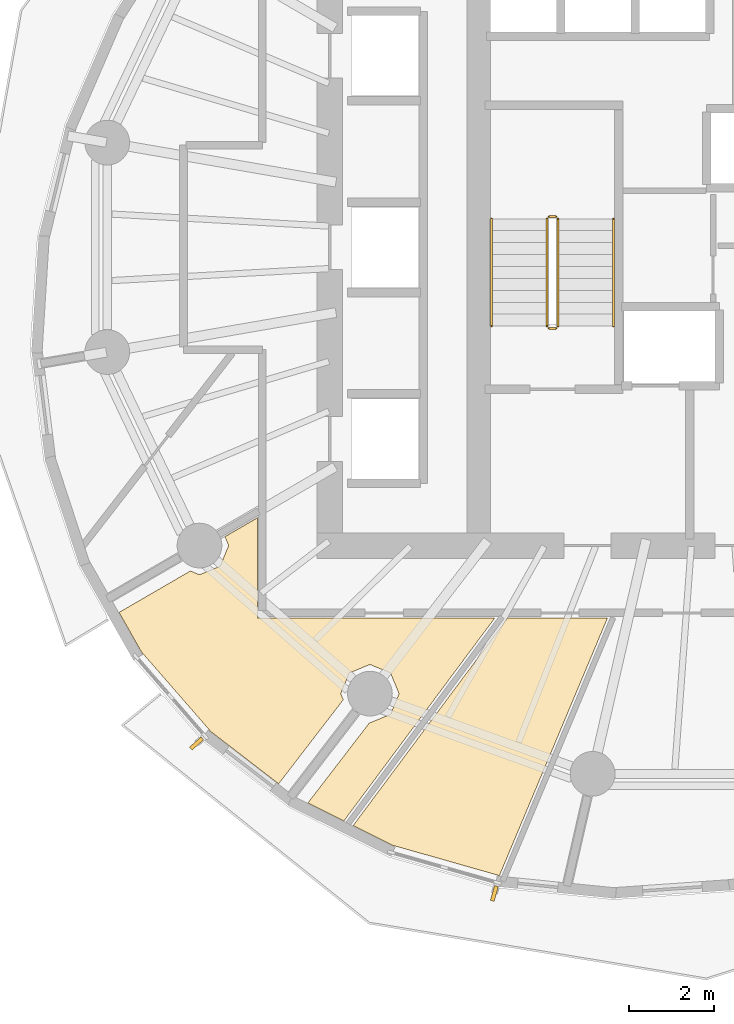
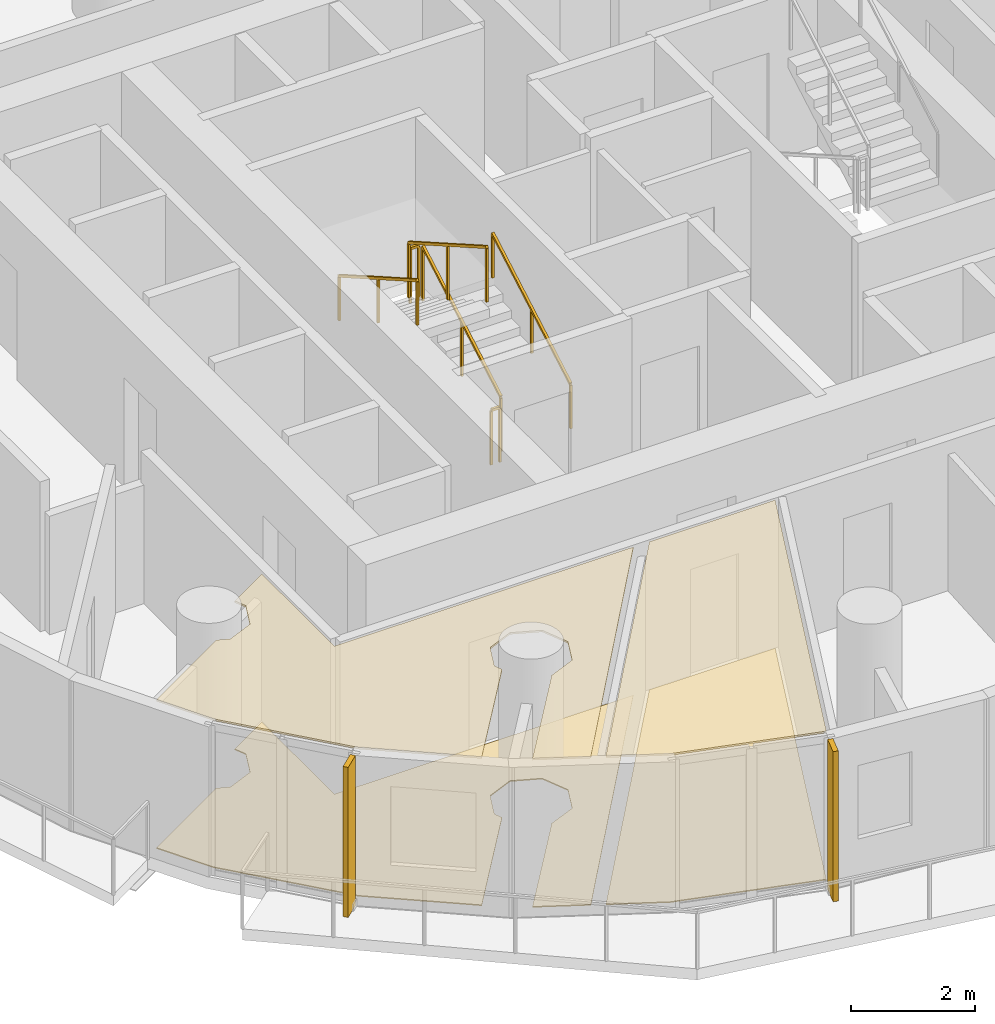
# One storey, part 8 of 12: 6 railings, 4 coverings, 2 shading devices.
"""IFC4 building model written with IfcOpenShell, lengths in metres."""

from ifc_helpers import new_model, si_unit, direction, frame, origin, origin_2d, place, context, subcontext, project, spatial, polyline, rectangle, outline, extrude, material, layer, layer_set, type_object, element, save


model = new_model("IFC4")

# Units and contexts
model_context = context("Model", 3, precision=1e-05, world=origin(), true_north=direction((0.0, 1.0)))
body_context = subcontext(model_context, "Body", "Model", "MODEL_VIEW")
ifc_project = project(units=[si_unit("LENGTHUNIT", "METRE"), si_unit("AREAUNIT", "SQUARE_METRE"), si_unit("VOLUMEUNIT", "CUBIC_METRE"), si_unit("PLANEANGLEUNIT", "RADIAN"), si_unit("MASSUNIT", "GRAM", prefix="KILO")], contexts=[model_context])

# Site, building, storey
site_placement = place(None, origin())
site = spatial("IfcSite", under=ifc_project, at=site_placement, CompositionType="ELEMENT")
building_placement = place(site_placement, origin())
building = spatial("IfcBuilding", under=site, at=building_placement, Name="Veldorim Arch Residences", CompositionType="ELEMENT")
storey_placement = place(building_placement, frame((0.0, 0.0, 142.56005859375)))
storey = spatial("IfcBuildingStorey", under=building, at=storey_placement, Name="L42", CompositionType="ELEMENT", Elevation=142.56005859375)

# Railings
ifc_material_1 = material(Name="Steel S355", Category="steel")
railing_type_1 = type_object("IfcRailingType", Name="Galvanised Steel Stair Safety Guardrail 1100", PredefinedType="GUARDRAIL", material=ifc_material_1)
railing_1_placement = place(storey_placement, frame((28.360107421875, 22.14990234375, 0.159912109375)))
element("IfcRailing", 1, at=railing_1_placement, inside=storey, type_object=railing_type_1, Name="L42 ST-1 stair guard 1", PredefinedType="GUARDRAIL", context=body_context, shape_type="SweptSolid", body=[
    extrude(rectangle(XDim=0.048095703125, YDim=0.048095703125, at=origin_2d()), frame((0.0, 0.0, 1.076171875), z_axis=(0.0, 0.868253494771, 0.496120820787), x_axis=(-1.0, 0.0, 0.0)), (0.0, 0.0, 1.0), 2.90234375),
    extrude(rectangle(XDim=0.0419921875, YDim=0.0419921875, at=origin_2d()), origin(), (0.0, 0.0, 1.0), 1.052001953125),
    extrude(rectangle(XDim=0.0419921875, YDim=0.0419921875, at=origin_2d()), frame((0.0, 1.260009765625, 0.719970703125)), (0.0, 0.0, 1.0), 1.052001953125),
    extrude(rectangle(XDim=0.0419921875, YDim=0.0419921875, at=origin_2d()), frame((0.0, 2.52001953125, 1.43994140625)), (0.0, 0.0, 1.0), 1.052001953125),
])
railing_2_placement = place(storey_placement, frame((28.31005859375, 24.719970703125, 1.599853515625)))
element("IfcRailing", 2, at=railing_2_placement, inside=storey, type_object=railing_type_1, Name="L42 ST-1 stair guard 2", PredefinedType="GUARDRAIL", context=body_context, shape_type="SweptSolid", body=[
    extrude(rectangle(XDim=0.048095703125, YDim=0.048095703125, at=origin_2d()), frame((0.0, 0.0, 1.076171875), z_axis=(-1.0, 0.0, 0.0), x_axis=(0.0, -1.0, 0.0)), (0.0, 0.0, 1.0), 0.16015625),
    extrude(rectangle(XDim=0.0419921875, YDim=0.0419921875, at=origin_2d()), origin(), (0.0, 0.0, 1.0), 1.052001953125),
    extrude(rectangle(XDim=0.0419921875, YDim=0.0419921875, at=origin_2d()), frame((-0.16015625, 0.0, 0.0)), (0.0, 0.0, 1.0), 1.052001953125),
])
railing_3_placement = place(storey_placement, frame((28.10009765625, 24.669921875, 1.760009765625)))
element("IfcRailing", 3, at=railing_3_placement, inside=storey, type_object=railing_type_1, Name="L42 ST-1 stair guard 3", PredefinedType="GUARDRAIL", context=body_context, shape_type="SweptSolid", body=[
    extrude(rectangle(XDim=0.048095703125, YDim=0.048095703125, at=origin_2d()), frame((0.0, 0.0, 1.076171875), z_axis=(0.0, -0.868253494771, 0.496120820787), x_axis=(1.0, 0.0, 0.0)), (0.0, 0.0, 1.0), 2.90234375),
    extrude(rectangle(XDim=0.0419921875, YDim=0.0419921875, at=origin_2d()), origin(), (0.0, 0.0, 1.0), 1.052001953125),
    extrude(rectangle(XDim=0.0419921875, YDim=0.0419921875, at=origin_2d()), frame((0.0, -1.260009765625, 0.719970703125)), (0.0, 0.0, 1.0), 1.052001953125),
    extrude(rectangle(XDim=0.0419921875, YDim=0.0419921875, at=origin_2d()), frame((0.0, -2.52001953125, 1.43994140625)), (0.0, 0.0, 1.0), 1.052001953125),
])
railing_4_placement = place(storey_placement, frame((28.31005859375, 22.10009765625, 0.0)))
element("IfcRailing", 4, at=railing_4_placement, inside=storey, type_object=railing_type_1, Name="L42 ST-1 stair guard 4", PredefinedType="GUARDRAIL", context=body_context, shape_type="SweptSolid", body=[
    extrude(rectangle(XDim=0.048095703125, YDim=0.048095703125, at=origin_2d()), frame((0.0, 0.0, 1.076171875), z_axis=(-1.0, 0.0, 0.0), x_axis=(0.0, -1.0, 0.0)), (0.0, 0.0, 1.0), 0.16015625),
    extrude(rectangle(XDim=0.0419921875, YDim=0.0419921875, at=origin_2d()), origin(), (0.0, 0.0, 1.0), 1.052001953125),
    extrude(rectangle(XDim=0.0419921875, YDim=0.0419921875, at=origin_2d()), frame((-0.16015625, 0.0, 0.0)), (0.0, 0.0, 1.0), 1.052001953125),
])

# Coverings
ifc_material_2 = material(Name="Acoustic Gypsum & Mineral Fibre", Category="gypsum")
ifc_layer_1 = layer(ifc_material_2, 0.034912109375, Name="Perforated Acoustic Mineral-Fibre Ceiling 35")
ifc_layer_set_1 = layer_set([ifc_layer_1], Name="Acoustic Gypsum & Mineral Fibre")
covering_type_1 = type_object("IfcCoveringType", Name="Perforated Acoustic Mineral-Fibre Ceiling 35", PredefinedType="CEILING", material=ifc_layer_set_1)
covering_1_placement = place(storey_placement, frame((0.0, 0.0, 2.905029296875)))
element("IfcCovering", 5, at=covering_1_placement, inside=storey, type_object=covering_type_1, Name="L42 acoustic suspended ceiling 01", PredefinedType="CEILING", context=body_context, shape_type="SweptSolid", body=[
    extrude(outline(polyline([(27.175048828125, 15.300048828125), (29.52099609375, 15.300048828125), (26.9833984375, 9.252197265625), (24.481201171875, 9.963623046875), (23.551513671875, 10.427490234375), (27.175048828125, 15.300048828125)])), origin(), (0.0, 0.0, 1.0), 0.034912109375),
])
covering_2_placement = place(storey_placement, frame((0.0, 0.0, 2.905029296875)))
element("IfcCovering", 6, at=covering_2_placement, inside=storey, type_object=covering_type_1, Name="L42 acoustic suspended ceiling 02", PredefinedType="CEILING", context=body_context, shape_type="SweptSolid", body=[
    extrude(outline(polyline([(23.944091796875, 12.838623046875), (24.428466796875, 13.039306640625), (24.629150390625, 13.5234375), (24.428466796875, 14.0078125), (23.944091796875, 14.20849609375), (23.4599609375, 14.0078125), (23.25927734375, 13.5234375), (23.318603515625, 13.38037109375), (21.801513671875, 11.407470703125), (20.209716796875, 12.633056640625), (18.580322265625, 14.50537109375), (18.055908203125, 15.43115234375), (19.73046875, 16.4033203125), (19.943603515625, 16.31494140625), (20.427978515625, 16.515380859375), (20.628662109375, 16.999755859375), (20.5419921875, 17.20849609375), (21.300048828125, 17.6484375), (21.300048828125, 15.300048828125), (26.8759765625, 15.300048828125), (23.33349609375, 10.536376953125), (22.4873046875, 10.95849609375), (23.935791015625, 12.842041015625), (23.944091796875, 12.838623046875)])), origin(), (0.0, 0.0, 1.0), 0.034912109375),
])
ifc_material_3 = material(Name="Porcelain Ceramic Tile", Category="ceramic")
ifc_layer_2 = layer(ifc_material_3, 0.02001953125, Name="Slip-Resistant Porcelain & Vinyl Floor Finish 20")
ifc_layer_set_2 = layer_set([ifc_layer_2], Name="Porcelain Ceramic Tile")
covering_type_2 = type_object("IfcCoveringType", Name="Slip-Resistant Porcelain & Vinyl Floor Finish 20", PredefinedType="FLOORING", material=ifc_layer_set_2)
covering_3_placement = place(storey_placement, origin())
element("IfcCovering", 7, at=covering_3_placement, inside=storey, type_object=covering_type_2, Name="L42 porcelain floor finish 01", PredefinedType="FLOORING", context=body_context, shape_type="SweptSolid", body=[
    extrude(outline(polyline([(27.175048828125, 15.300048828125), (29.52099609375, 15.300048828125), (26.9833984375, 9.252197265625), (24.481201171875, 9.963623046875), (23.551513671875, 10.427490234375), (27.175048828125, 15.300048828125)])), origin(), (0.0, 0.0, 1.0), 0.02001953125),
])
covering_4_placement = place(storey_placement, origin())
element("IfcCovering", 8, at=covering_4_placement, inside=storey, type_object=covering_type_2, Name="L42 porcelain floor finish 02", PredefinedType="FLOORING", context=body_context, shape_type="SweptSolid", body=[
    extrude(outline(polyline([(23.944091796875, 12.838623046875), (24.428466796875, 13.039306640625), (24.629150390625, 13.5234375), (24.428466796875, 14.0078125), (23.944091796875, 14.20849609375), (23.4599609375, 14.0078125), (23.25927734375, 13.5234375), (23.318603515625, 13.38037109375), (21.801513671875, 11.407470703125), (20.209716796875, 12.633056640625), (18.580322265625, 14.50537109375), (18.055908203125, 15.43115234375), (19.73046875, 16.4033203125), (19.943603515625, 16.31494140625), (20.427978515625, 16.515380859375), (20.628662109375, 16.999755859375), (20.5419921875, 17.20849609375), (21.300048828125, 17.6484375), (21.300048828125, 15.300048828125), (26.8759765625, 15.300048828125), (23.33349609375, 10.536376953125), (22.4873046875, 10.95849609375), (23.935791015625, 12.842041015625), (23.944091796875, 12.838623046875)])), origin(), (0.0, 0.0, 1.0), 0.02001953125),
])

# Railings
ifc_material_4 = material(Name="Stainless Steel", Category="steel")
railing_type_2 = type_object("IfcRailingType", Name="Tubular Steel Continuous Wall Handrail 900", PredefinedType="HANDRAIL", material=ifc_material_4)
railing_5_placement = place(storey_placement, frame((29.659912109375, 22.14990234375, 0.159912109375)))
element("IfcRailing", 9, at=railing_5_placement, inside=storey, type_object=railing_type_2, Name="L42 ST-1 stair handrail 1", PredefinedType="HANDRAIL", context=body_context, shape_type="SweptSolid", body=[
    extrude(rectangle(XDim=0.048095703125, YDim=0.048095703125, at=origin_2d()), frame((0.0, 0.0, 0.8759765625), z_axis=(0.0, 0.868253494771, 0.496120820787), x_axis=(-1.0, 0.0, 0.0)), (0.0, 0.0, 1.0), 2.90234375),
    extrude(rectangle(XDim=0.0419921875, YDim=0.0419921875, at=origin_2d()), origin(), (0.0, 0.0, 1.0), 0.851806640625),
    extrude(rectangle(XDim=0.0419921875, YDim=0.0419921875, at=origin_2d()), frame((0.0, 1.260009765625, 0.719970703125)), (0.0, 0.0, 1.0), 0.851806640625),
    extrude(rectangle(XDim=0.0419921875, YDim=0.0419921875, at=origin_2d()), frame((0.0, 2.52001953125, 1.43994140625)), (0.0, 0.0, 1.0), 0.851806640625),
])
railing_6_placement = place(storey_placement, frame((26.800048828125, 24.669921875, 1.760009765625)))
element("IfcRailing", 10, at=railing_6_placement, inside=storey, type_object=railing_type_2, Name="L42 ST-1 stair handrail 2", PredefinedType="HANDRAIL", context=body_context, shape_type="SweptSolid", body=[
    extrude(rectangle(XDim=0.048095703125, YDim=0.048095703125, at=origin_2d()), frame((0.0, 0.0, 0.8759765625), z_axis=(0.0, -0.868253494771, 0.496120820787), x_axis=(1.0, 0.0, 0.0)), (0.0, 0.0, 1.0), 2.90234375),
    extrude(rectangle(XDim=0.0419921875, YDim=0.0419921875, at=origin_2d()), origin(), (0.0, 0.0, 1.0), 0.851806640625),
    extrude(rectangle(XDim=0.0419921875, YDim=0.0419921875, at=origin_2d()), frame((0.0, -1.260009765625, 0.719970703125)), (0.0, 0.0, 1.0), 0.851806640625),
    extrude(rectangle(XDim=0.0419921875, YDim=0.0419921875, at=origin_2d()), frame((0.0, -2.52001953125, 1.43994140625)), (0.0, 0.0, 1.0), 0.851806640625),
])

# Shading devices
ifc_material_5 = material(Name="Terracotta Ceramic", Category="masonry")
ifc_layer_3 = layer(ifc_material_5, 0.090087890625, Name="Vertical Extruded Terracotta Baguette Sun-Shading Fin")
ifc_layer_set_3 = layer_set([ifc_layer_3], Name="Terracotta Ceramic")
shading_device_type = type_object("IfcShadingDeviceType", Name="Vertical Extruded Terracotta Baguette Sun-Shading Fin", PredefinedType="USERDEFINED", material=ifc_layer_set_3)
for number, where, z_axis, x_axis, name in (
    (11, (19.87548828125, 12.3544921875, 0.0), (0.0, 0.0, 1.0), (-0.656454104053, 0.75436596508, 0.0), "L42 vertical terracotta sun-shading fin 19"),
    (12, (26.86572265625, 8.833251953125, 0.0), (0.0, 0.0, 1.0), (-0.961836880762, 0.273623490961, 0.0), "L42 vertical terracotta sun-shading fin 22"),
):
    element("IfcShadingDevice", number, at=place(storey_placement, frame(where, z_axis=z_axis, x_axis=x_axis)), inside=storey, type_object=shading_device_type, Name=name, ObjectType="FIN", PredefinedType="USERDEFINED", context=body_context, shape_type="SweptSolid", body=[
        extrude(rectangle(XDim=0.090087890625, YDim=0.360107421875, at=origin_2d()), origin(), (0.0, 0.0, 1.0), 2.9599609375),
    ])

save(model, "model.ifc")
